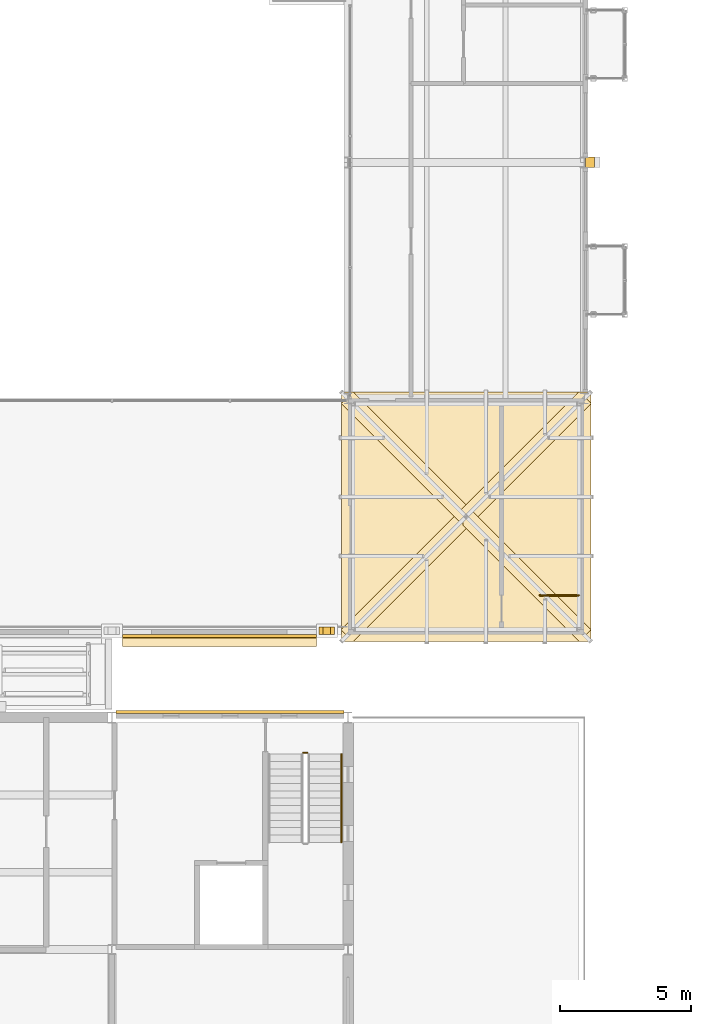
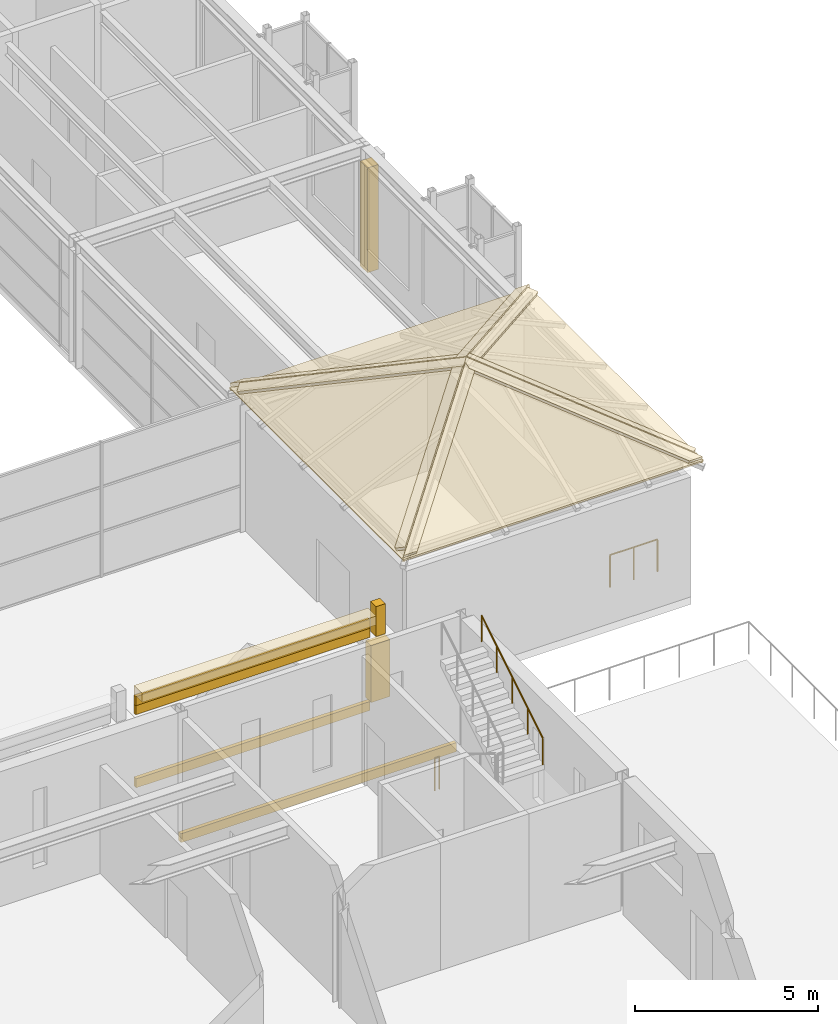
# One storey, part 134 of 149: 20 coverings, 3 railings.
"""IFC4 building model written with IfcOpenShell, lengths in metres."""

from ifc_helpers import new_model, si_unit, direction, frame, origin, origin_2d, place, context, subcontext, project, spatial, polyline, rectangle, circle, outline, extrude, material, layer, layer_set, type_object, element, save


model = new_model("IFC4")

# Units and contexts
model_context = context("Model", 3, precision=1e-05, world=origin(), true_north=direction((0.0, 1.0)))
body_context = subcontext(model_context, "Body", "Model", "MODEL_VIEW")
ifc_project = project(units=[si_unit("LENGTHUNIT", "METRE"), si_unit("AREAUNIT", "SQUARE_METRE"), si_unit("VOLUMEUNIT", "CUBIC_METRE"), si_unit("PLANEANGLEUNIT", "RADIAN"), si_unit("MASSUNIT", "GRAM", prefix="KILO")], contexts=[model_context])

# Site, building, storey
site_placement = place(None, origin())
site = spatial("IfcSite", under=ifc_project, at=site_placement, CompositionType="ELEMENT")
building_placement = place(site_placement, origin())
building = spatial("IfcBuilding", under=site, at=building_placement, Name="Kallimachos Central Library", CompositionType="ELEMENT")
storey_placement = place(building_placement, frame((0.0, 0.0, 9.89990234375)))
storey = spatial("IfcBuildingStorey", under=building, at=storey_placement, Name="L02", CompositionType="ELEMENT", Elevation=9.89990234375)

# Coverings
ifc_material_1 = material(Name="Glazed ceramic hip tile")
ifc_layer_1 = layer(ifc_material_1, 0.1201171875)
ifc_layer_set_1 = layer_set([ifc_layer_1], Name="Ceramic hip tile 300")
covering_type_1 = type_object("IfcCoveringType", Name="Ceramic hip tile 300", PredefinedType="MOLDING", material=ifc_layer_set_1)
covering_1_placement = place(storey_placement, frame((106.01416015625, 52.48583984375, 6.86328125), z_axis=(3.2369812e-05, -0.406739931992, 0.913543992742), x_axis=(0.674578590629, -0.674372069128, -0.300276601561)))
element("IfcCovering", 1, at=covering_1_placement, inside=storey, type_object=covering_type_1, Name="Head-house roof V4-SE hip tile", PredefinedType="MOLDING", context=body_context, shape_type="SweptSolid", body=[
    extrude(outline(polyline([(0.0, 0.0), (0.003257241783217022, 5.421010862427522e-20), (0.3145618086262042, -5.20967216105124e-05), (0.9181947360655407, -6.679953672843335), (0.6321246647953545, -6.993005107287192), (0.0, 0.0)])), origin(), (0.0, 0.0, -1.0), 0.1201171875),
])
covering_2_placement = place(storey_placement, frame((101.447998046875, 47.976318359375, 4.843017578125), z_axis=(-0.406728259025, 1.7313868e-05, 0.913549190252), x_axis=(-0.674458151062, 0.674485008735, -0.30029348221)))
element("IfcCovering", 2, at=covering_2_placement, inside=storey, type_object=covering_type_1, Name="Head-house roof V4-SE hip tile", PredefinedType="MOLDING", context=body_context, shape_type="SweptSolid", body=[
    extrude(outline(polyline([(0.0, 0.0), (0.29355440665848576, 7.28583859910259e-17), (0.312491363690852, -0.02072831602597165), (-0.29198832476201353, -6.700553320009625), (-0.6065501371347777, -6.700565541919457), (0.0, 0.0)])), origin(), (0.0, 0.0, -1.0), 0.1201171875),
])
covering_3_placement = place(storey_placement, frame((110.7216796875, 47.75, 4.7548828125), z_axis=(-3.022104e-05, -0.40674172528, 0.913543194383), x_axis=(-0.999999999543, 1.2292158e-05, -2.7608226e-05)))
element("IfcCovering", 3, at=covering_3_placement, inside=storey, type_object=covering_type_1, Name="Head-house roof V4-SE hip tile", PredefinedType="MOLDING", context=body_context, shape_type="SweptSolid", body=[
    extrude(outline(polyline([(0.0, 0.0), (0.424072265431345, 0.0), (4.9479980497773735, -4.95172225337248), (4.938232423497229, -4.962431012857436), (4.735839846139398, -5.183967879357911), (0.0, 0.0)])), origin(), (0.0, 0.0, -1.0), 0.1201171875),
])
covering_4_placement = place(storey_placement, frame((106.01416015625, 52.51416015625, 6.86328125), z_axis=(0.406728259025, 1.7313868e-05, 0.913549190252), x_axis=(0.67448209148, 0.674456322939, -0.300304140364)))
element("IfcCovering", 4, at=covering_4_placement, inside=storey, type_object=covering_type_1, Name="Head-house roof V4-SE hip tile", PredefinedType="MOLDING", context=body_context, shape_type="SweptSolid", body=[
    extrude(outline(polyline([(0.0, 0.0), (0.3145618126101978, 1.3877787807814457e-17), (0.9193010369383585, -6.679801512631663), (0.9003648852933455, -6.700530564414012), (0.6068104788564364, -6.70054197010709), (0.0, 0.0)])), origin(), (0.0, 0.0, -1.0), 0.1201171875),
])
covering_5_placement = place(storey_placement, frame((106.226318359375, 52.726318359375, 6.768798828125), z_axis=(3.2466854e-05, 0.406739851005, 0.913544028797), x_axis=(-0.674456322555, -0.674474124036, 0.30032203544)))
element("IfcCovering", 5, at=covering_5_placement, inside=storey, type_object=covering_type_1, Name="Head-house roof V4-SE hip tile", PredefinedType="MOLDING", context=body_context, shape_type="SweptSolid", body=[
    extrude(outline(polyline([(0.0, 0.0), (0.3145618129402505, 3.8163916471489756e-17), (-0.31872100229053, -6.992900320918088), (-0.6047392230616668, -6.679801512760554), (0.0, 0.0)])), origin(), (0.0, 0.0, -1.0), 0.1201171875),
])
covering_6_placement = place(storey_placement, frame((105.98583984375, 52.48583984375, 6.86328125), z_axis=(-0.406728259025, -1.7313868e-05, 0.913549190252), x_axis=(-0.67448209148, -0.674456322939, -0.300304140364)))
element("IfcCovering", 6, at=covering_6_placement, inside=storey, type_object=covering_type_1, Name="Head-house roof V4-SE hip tile", PredefinedType="MOLDING", context=body_context, shape_type="SweptSolid", body=[
    extrude(outline(polyline([(0.0, 0.0), (0.3145618126101978, 1.3877787807814457e-17), (0.9193010369383585, -6.679801512631663), (0.9003648852933455, -6.700530564414012), (0.6068104788564364, -6.70054197010709), (0.0, 0.0)])), origin(), (0.0, 0.0, -1.0), 0.1201171875),
])
covering_7_placement = place(storey_placement, frame((105.98583984375, 52.51416015625, 6.86328125), z_axis=(-3.2466854e-05, 0.406739851005, 0.913544028797), x_axis=(-0.674456322555, 0.674474124036, -0.30032203544)))
element("IfcCovering", 7, at=covering_7_placement, inside=storey, type_object=covering_type_1, Name="Head-house roof V4-SE hip tile", PredefinedType="MOLDING", context=body_context, shape_type="SweptSolid", body=[
    extrude(outline(polyline([(0.0, 0.0), (0.3145618129402505, -3.8163916471489756e-17), (0.919301036001917, -6.679801512760555), (0.6332828152307807, -6.992900320918089), (0.0, 0.0)])), origin(), (0.0, 0.0, -1.0), 0.1201171875),
])
covering_8_placement = place(storey_placement, frame((110.552001953125, 57.023681640625, 4.843017578125), z_axis=(0.406728259025, -1.7313868e-05, 0.913549190252), x_axis=(0.674458151062, -0.674485008735, -0.30029348221)))
element("IfcCovering", 8, at=covering_8_placement, inside=storey, type_object=covering_type_1, Name="Head-house roof V4-SE hip tile", PredefinedType="MOLDING", context=body_context, shape_type="SweptSolid", body=[
    extrude(outline(polyline([(0.0, 0.0), (0.29355440665848576, 7.28583859910259e-17), (0.312491363690852, -0.02072831602597165), (-0.29198832476201353, -6.700553320009625), (-0.6065501371347777, -6.700565541919457), (0.0, 0.0)])), origin(), (0.0, 0.0, -1.0), 0.1201171875),
])
ifc_material_2 = material(Name="Glazed ceramic frieze, green")
ifc_layer_2 = layer(ifc_material_2, 0.10009765625)
ifc_layer_set_2 = layer_set([ifc_layer_2], Name="Glazed ceramic frieze, green")
covering_type_2 = type_object("IfcCoveringType", Name="Glazed ceramic frieze, green", PredefinedType="CLADDING", material=ifc_layer_set_2)
covering_9_placement = place(storey_placement, frame((96.594970703125, 47.949951171875, 2.580078125), z_axis=(0.0, 0.0, 1.0), x_axis=(1.0, 0.0, 0.0)))
element("IfcCovering", 9, at=covering_9_placement, inside=storey, type_object=covering_type_2, Name="Glazed ceramic frieze, green -L02-065", PredefinedType="CLADDING", context=body_context, shape_type="SweptSolid", body=[
    extrude(rectangle(XDim=7.389892578125, YDim=0.10009765625, at=origin_2d()), origin(), (0.0, 0.0, 1.0), 0.300048828125),
])
ifc_material_3 = material(Name="Glazed ceramic frieze, ochre")
ifc_layer_3 = layer(ifc_material_3, 0.10009765625)
ifc_layer_set_3 = layer_set([ifc_layer_3], Name="Glazed ceramic frieze, ochre")
covering_type_3 = type_object("IfcCoveringType", Name="Glazed ceramic frieze, ochre", PredefinedType="CLADDING", material=ifc_layer_set_3)
covering_10_placement = place(storey_placement, frame((96.594970703125, 47.949951171875, 2.2802734375), z_axis=(0.0, 0.0, 1.0), x_axis=(1.0, 0.0, 0.0)))
element("IfcCovering", 10, at=covering_10_placement, inside=storey, type_object=covering_type_3, Name="Glazed ceramic frieze, ochre -L02-065", PredefinedType="CLADDING", context=body_context, shape_type="SweptSolid", body=[
    extrude(rectangle(XDim=7.389892578125, YDim=0.10009765625, at=origin_2d()), origin(), (0.0, 0.0, 1.0), 0.300048828125),
])
ifc_material_4 = material(Name="Glazed ceramic tile on deck")
ifc_layer_4 = layer(ifc_material_4, 0.10009765625)
ifc_layer_set_4 = layer_set([ifc_layer_4], Name="Glazed ceramic tile roofing 100")
covering_type_4 = type_object("IfcCoveringType", Name="Glazed ceramic tile roofing 100", PredefinedType="ROOFING", material=ifc_layer_set_4)
for number, where, z_axis, x_axis, name in (
    (11, (101.25, 47.75, 4.623291015625), (0.0, -0.406761357527, 0.913534453659), (1.0, 0.0, 0.0), "Head-house roof V4-SE roofing S"),
    (12, (110.75, 57.25, 4.623291015625), (0.0, 0.406761357527, 0.913534453659), (-1.0, 0.0, 0.0), "Head-house roof V4-SE roofing N"),
):
    element("IfcCovering", number, at=place(storey_placement, frame(where, z_axis=z_axis, x_axis=x_axis)), inside=storey, type_object=covering_type_4, Name=name, PredefinedType="ROOFING", context=body_context, shape_type="SweptSolid", body=[
        extrude(outline(polyline([(0.0, 0.0), (9.5, 0.0), (4.75, 5.199584953772908), (0.0, 0.0)])), origin(), (0.0, 0.0, -1.0), 0.10009765625),
    ])
covering_11_placement = place(storey_placement, frame((101.25, 47.75, 4.623291015625), z_axis=(-0.406761357527, 0.0, 0.913534453659), x_axis=(0.674467027477, 0.674467027477, 0.300313931899)))
element("IfcCovering", 13, at=covering_11_placement, inside=storey, type_object=covering_type_4, Name="Head-house roof V4-SE roofing W", PredefinedType="ROOFING", context=body_context, shape_type="SweptSolid", body=[
    extrude(outline(polyline([(0.0, 0.0), (7.042597794244793, 0.0), (6.407436761031012, 7.013897215770163), (0.0, 0.0)])), origin(), (0.0, 0.0, -1.0), 0.10009765625),
])
covering_12_placement = place(storey_placement, frame((110.75, 47.75, 4.623291015625), z_axis=(0.406761357527, 0.0, 0.913534453659), x_axis=(0.0, 1.0, 0.0)))
element("IfcCovering", 14, at=covering_12_placement, inside=storey, type_object=covering_type_4, Name="Head-house roof V4-SE roofing E", PredefinedType="ROOFING", context=body_context, shape_type="SweptSolid", body=[
    extrude(outline(polyline([(0.0, 0.0), (9.5, 0.0), (4.75, 5.199584953772908), (0.0, 0.0)])), origin(), (0.0, 0.0, -1.0), 0.10009765625),
])

# Railings
ifc_material_5 = material(Name="Wrought iron")
railing_type_1 = type_object("IfcRailingType", Name="Stair guard", PredefinedType="GUARDRAIL", material=ifc_material_5)
railing_1_placement = place(storey_placement, frame((110.300048828125, 49.5, 0.0)))
element("IfcRailing", 15, at=railing_1_placement, inside=storey, type_object=railing_type_1, Name="L02 ST12 top well guard 1", PredefinedType="GUARDRAIL", context=body_context, shape_type="SweptSolid", body=[
    extrude(circle(Radius=0.02392578125, at=origin_2d()), frame((0.0, 0.0, 1.076171875), z_axis=(-1.0, 0.0, 0.0), x_axis=(0.0, -1.0, 0.0)), (0.0, 0.0, 1.0), 1.5),
    extrude(circle(Radius=0.02099609375, at=origin_2d()), origin(), (0.0, 0.0, 1.0), 1.052001953125),
    extrude(circle(Radius=0.02099609375, at=origin_2d()), frame((-0.75, 0.0, 0.0)), (0.0, 0.0, 1.0), 1.052001953125),
    extrude(circle(Radius=0.02099609375, at=origin_2d()), frame((-1.5, 0.0, 0.0)), (0.0, 0.0, 1.0), 1.052001953125),
])
ifc_material_6 = material(Name="Steel S355J2", Category="steel")
railing_type_2 = type_object("IfcRailingType", Name="Stair handrail 900", PredefinedType="HANDRAIL", material=ifc_material_6)
railing_2_placement = place(storey_placement, frame((101.25, 40.090087890625, 2.423095703125)))
element("IfcRailing", 16, at=railing_2_placement, inside=storey, type_object=railing_type_2, Name="L02 ST14 stair handrail 2", PredefinedType="HANDRAIL", context=body_context, shape_type="SweptSolid", body=[
    extrude(circle(Radius=0.02392578125, at=origin_2d()), frame((0.0, 0.0, 0.8759765625), z_axis=(0.0, 0.850606129759, 0.525803396734), x_axis=(-1.0, 0.0, 0.0)), (0.0, 0.0, 1.0), 3.949951171875),
    extrude(circle(Radius=0.02099609375, at=origin_2d()), origin(), (0.0, 0.0, 1.0), 0.851806640625),
    extrude(circle(Radius=0.02099609375, at=origin_2d()), frame((0.0, 0.83984375, 0.519287109375)), (0.0, 0.0, 1.0), 0.851806640625),
    extrude(circle(Radius=0.02099609375, at=origin_2d()), frame((0.0, 1.679931640625, 1.03857421875)), (0.0, 0.0, 1.0), 0.851806640625),
    extrude(circle(Radius=0.02099609375, at=origin_2d()), frame((0.0, 2.52001953125, 1.5576171875)), (0.0, 0.0, 1.0), 0.851806640625),
    extrude(circle(Radius=0.02099609375, at=origin_2d()), frame((0.0, 3.35986328125, 2.076904296875)), (0.0, 0.0, 1.0), 0.851806640625),
])

# Coverings
ifc_material_7 = material(Name="Pentelic marble attic moulding", Category="masonry")
ifc_layer_5 = layer(ifc_material_7, 0.1201171875)
ifc_layer_set_5 = layer_set([ifc_layer_5], Name="Stone attic moulding 300")
covering_type_5 = type_object("IfcCoveringType", Name="Stone attic moulding 300", PredefinedType="MOLDING", material=ifc_layer_set_5)
covering_13_placement = place(storey_placement, frame((96.594970703125, 47.93994140625, -0.14990234375), z_axis=(0.0, 0.0, 1.0), x_axis=(1.0, 0.0, 0.0)))
element("IfcCovering", 17, at=covering_13_placement, inside=storey, type_object=covering_type_5, Name="Stone attic moulding 300 -L02-065", PredefinedType="MOLDING", context=body_context, shape_type="SweptSolid", body=[
    extrude(rectangle(XDim=7.389892578125, YDim=0.1201171875, at=origin_2d()), origin(), (0.0, 0.0, 1.0), 0.300048828125),
])
ifc_material_8 = material(Name="Pentelic marble cornice", Category="masonry")
ifc_layer_6 = layer(ifc_material_8, 0.449951171875)
ifc_layer_set_6 = layer_set([ifc_layer_6], Name="Stone cornice 450")
covering_type_6 = type_object("IfcCoveringType", Name="Stone cornice 450", PredefinedType="MOLDING", material=ifc_layer_set_6)
covering_14_placement = place(storey_placement, frame((96.594970703125, 47.77490234375, 2.89990234375), z_axis=(0.0, 0.0, 1.0), x_axis=(1.0, 0.0, 0.0)))
element("IfcCovering", 18, at=covering_14_placement, inside=storey, type_object=covering_type_6, Name="Stone cornice 450 -L02-065", PredefinedType="MOLDING", context=body_context, shape_type="SweptSolid", body=[
    extrude(rectangle(XDim=7.389892578125, YDim=0.449951171875, at=origin_2d()), origin(), (0.0, 0.0, 1.0), 0.300048828125),
])
ifc_material_9 = material(Name="Pentelic marble pilaster", Category="masonry")
ifc_layer_7 = layer(ifc_material_9, 0.25)
ifc_layer_set_7 = layer_set([ifc_layer_7], Name="Stone pilaster 250")
covering_type_7 = type_object("IfcCoveringType", Name="Stone pilaster 250", PredefinedType="CLADDING", material=ifc_layer_set_7)
covering_15_placement = place(storey_placement, frame((110.72509765625, 66.0, 0.0), z_axis=(0.0, 0.0, 1.0), x_axis=(1.0, 0.0, 0.0)))
element("IfcCovering", 19, at=covering_15_placement, inside=storey, type_object=covering_type_7, Name="Stone pilaster 250 -L02-023", PredefinedType="CLADDING", context=body_context, shape_type="SweptSolid", body=[
    extrude(rectangle(XDim=0.35009765625, YDim=0.39990234375, at=origin_2d()), origin(), (0.0, 0.0, 1.0), 3.5),
])
ifc_material_10 = material(Name="Pentelic marble finial", Category="masonry")
ifc_layer_8 = layer(ifc_material_10, 0.300048828125)
ifc_layer_set_8 = layer_set([ifc_layer_8], Name="Stone pinnacle finial 300")
covering_type_8 = type_object("IfcCoveringType", Name="Stone pinnacle finial 300", PredefinedType="MOLDING", material=ifc_layer_set_8)
covering_16_placement = place(storey_placement, frame((100.68994140625, 48.14990234375, 2.150146484375), z_axis=(0.0, 0.0, 1.0), x_axis=(1.0, 0.0, 0.0)))
element("IfcCovering", 20, at=covering_16_placement, inside=storey, type_object=covering_type_8, Name="South row roof edge pinnacle 4 finial", PredefinedType="MOLDING", context=body_context, shape_type="SweptSolid", body=[
    extrude(rectangle(XDim=0.300048828125, YDim=0.300048828125, at=origin_2d()), origin(), (0.0, 0.0, 1.0), 1.0),
])
ifc_material_11 = material(Name="Pentelic marble pinnacle", Category="masonry")
ifc_layer_9 = layer(ifc_material_11, 0.60009765625)
ifc_layer_set_9 = layer_set([ifc_layer_9], Name="Stone pinnacle shaft 600")
covering_type_9 = type_object("IfcCoveringType", Name="Stone pinnacle shaft 600", PredefinedType="MOLDING", material=ifc_layer_set_9)
covering_17_placement = place(storey_placement, frame((100.68994140625, 48.14990234375, 0.000244140625), z_axis=(0.0, 0.0, 1.0), x_axis=(1.0, 0.0, 0.0)))
element("IfcCovering", 21, at=covering_17_placement, inside=storey, type_object=covering_type_9, Name="South row roof edge pinnacle 4 shaft", PredefinedType="MOLDING", context=body_context, shape_type="SweptSolid", body=[
    extrude(rectangle(XDim=0.60009765625, YDim=0.300048828125, at=origin_2d()), origin(), (0.0, 0.0, 1.0), 1.89990234375),
])
ifc_material_12 = material(Name="Pentelic marble string course", Category="masonry")
ifc_layer_10 = layer(ifc_material_12, 0.1201171875)
ifc_layer_set_10 = layer_set([ifc_layer_10], Name="Stone string course 300")
covering_type_10 = type_object("IfcCoveringType", Name="Stone string course 300", PredefinedType="MOLDING", material=ifc_layer_set_10)
covering_18_placement = place(storey_placement, frame((97.0, 45.06005859375, -0.14990234375), z_axis=(0.0, 0.0, 1.0), x_axis=(1.0, 0.0, 0.0)))
element("IfcCovering", 22, at=covering_18_placement, inside=storey, type_object=covering_type_10, Name="Stone string course 300 -L02-023", PredefinedType="MOLDING", context=body_context, shape_type="SweptSolid", body=[
    extrude(rectangle(XDim=8.699951171875, YDim=0.1201171875, at=origin_2d()), origin(), (0.0, 0.0, 1.0), 0.300048828125),
])

# Railing
ifc_material_13 = material(Name="Steel S355J2", Category="steel")
railing_type_3 = type_object("IfcRailingType", Name="Wrought-iron guard 1100", PredefinedType="GUARDRAIL", material=ifc_material_13)
railing_3_placement = place(storey_placement, frame((99.800048828125, 43.5, 0.0)))
element("IfcRailing", 23, at=railing_3_placement, inside=storey, type_object=railing_type_3, Name="L02 ST14 stair guard 4", PredefinedType="GUARDRAIL", context=body_context, shape_type="SweptSolid", body=[
    extrude(circle(Radius=0.02392578125, at=origin_2d()), frame((0.0, 0.0, 1.076171875), z_axis=(1.0, 0.0, 0.0), x_axis=(0.0, 1.0, 0.0)), (0.0, 0.0, 1.0), 0.14990234375),
    extrude(circle(Radius=0.02099609375, at=origin_2d()), origin(), (0.0, 0.0, 1.0), 1.052001953125),
    extrude(circle(Radius=0.02099609375, at=origin_2d()), frame((0.14990234375, 0.0, 0.0)), (0.0, 0.0, 1.0), 1.052001953125),
])

save(model, "model.ifc")
